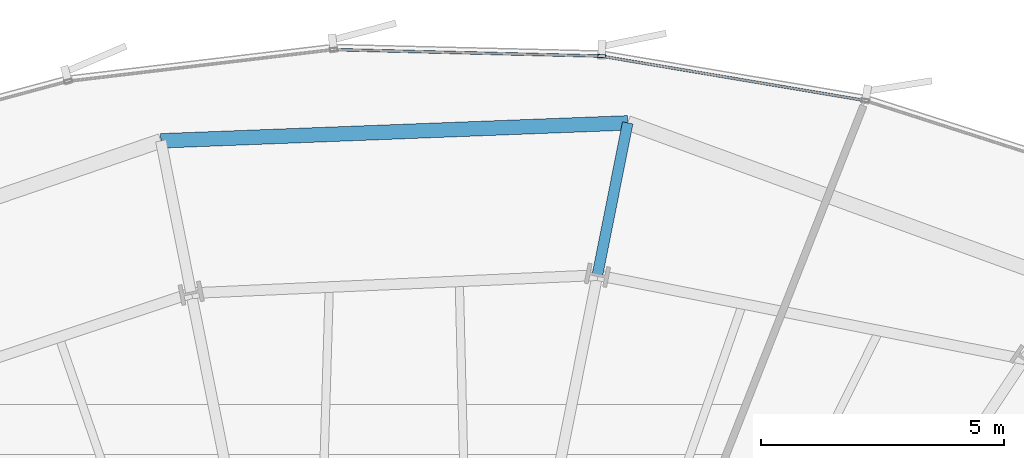
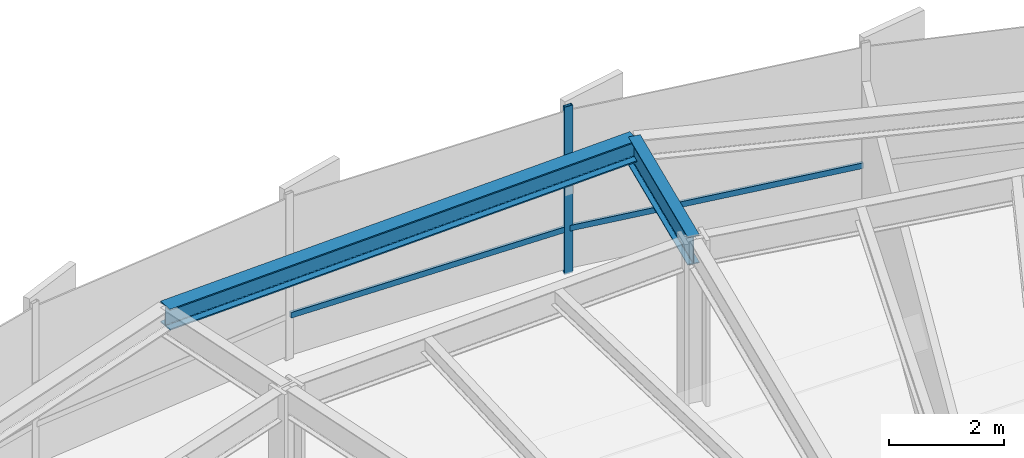
# One storey, part 26 of 39: 3 members, 2 beams, 1 element without a shape of its own.
"""IFC4 building model written with IfcOpenShell, lengths in metres."""

from ifc_helpers import new_model, si_unit, direction, frame, origin, origin_2d, place, context, subcontext, project, spatial, hollow_rectangle, i_section, extrude, source, transform, mapped, material, layer, layer_set, material_profile, profile_set, type_object, element, aggregate, save


model = new_model("IFC4")

# Units and contexts
model_context = context("Model", 3, precision=1e-05, world=origin(), true_north=direction((0.0, 1.0)))
body_context = subcontext(model_context, "Body", "Model", "MODEL_VIEW")
ifc_project = project(units=[si_unit("LENGTHUNIT", "METRE"), si_unit("AREAUNIT", "SQUARE_METRE"), si_unit("VOLUMEUNIT", "CUBIC_METRE"), si_unit("PLANEANGLEUNIT", "RADIAN"), si_unit("MASSUNIT", "GRAM", prefix="KILO"), si_unit("THERMODYNAMICTEMPERATUREUNIT", "KELVIN")], contexts=[model_context])

# Site, building, storey
site_placement = place(None, origin())
site = spatial("IfcSite", under=ifc_project, at=site_placement, CompositionType="ELEMENT")
building_placement = place(site_placement, origin())
building = spatial("IfcBuilding", under=site, at=building_placement, Name="Kethvar Cultural Tower", CompositionType="ELEMENT")
storey_placement = place(building_placement, frame((0.0, 0.0, 41.0)))
storey = spatial("IfcBuildingStorey", under=building, at=storey_placement, Name="L09", CompositionType="ELEMENT", Elevation=41.0)

# Beams
ifc_material_1 = material(Name="Steel S355J2", Category="steel")
ifc_material_profile_1 = material_profile(ifc_material_1, i_section(OverallWidth=0.219970703125, OverallDepth=0.60009765625, WebThickness=0.011962890625, FlangeThickness=0.01904296875, FilletRadius=0.02392578125, at=origin_2d()), Name="Steel S355J2 — IPE600")
ifc_profile_set_1 = profile_set([ifc_material_profile_1], Name="Steel S355J2 — IPE600")
beam_type_1 = type_object("IfcBeamType", Name="BM-IPE600", PredefinedType="BEAM", material=ifc_profile_set_1)
shared_shape_1 = source(origin(), body_context, "Body", "SweptSolid", [
    extrude(i_section(OverallWidth=0.219970703125, OverallDepth=0.60009765625, WebThickness=0.011962890625, FlangeThickness=0.01904296875, FilletRadius=0.02392578125, at=origin_2d()), origin(), (0.0, 0.0, 1.0), 3.199951171875),
])
beam_1_placement = place(storey_placement, frame((51.022216796875, 49.02587890625, 3.248046875), z_axis=(0.195088965533, 0.980785550224, 0.0), x_axis=(-0.980785550224, 0.195088965533, 0.0)))
element("IfcBeam", 1, at=beam_1_placement, inside=storey, type_object=beam_type_1, Name="L09 Perimeter Cantilever Beam RC-04", PredefinedType="BEAM", context=body_context, shape_type="MappedRepresentation", body=[
    mapped(shared_shape_1, transform((0.0, 0.0, 0.0), scale=1.0)),
])
ifc_material_profile_2 = material_profile(ifc_material_1, i_section(OverallWidth=0.300048828125, OverallDepth=0.449951171875, WebThickness=0.013916015625, FlangeThickness=0.02587890625, FilletRadius=0.027099609375, at=origin_2d()), Name="Steel S355J2 — HEB450")
ifc_profile_set_2 = profile_set([ifc_material_profile_2], Name="Steel S355J2 — HEB450")
beam_type_2 = type_object("IfcBeamType", Name="BM-SP450", PredefinedType="SPANDREL", material=ifc_profile_set_2)
shared_shape_2 = source(origin(), body_context, "Body", "SweptSolid", [
    extrude(i_section(OverallWidth=0.300048828125, OverallDepth=0.449951171875, WebThickness=0.013916015625, FlangeThickness=0.02587890625, FilletRadius=0.027099609375, at=origin_2d()), origin(), (0.0, 0.0, 1.0), 9.62646484375),
])
beam_2_placement = place(storey_placement, frame((51.646484375, 52.164306640625, 3.322998046875), z_axis=(-0.999260612605, -0.038447732004, 0.0), x_axis=(0.038447732004, -0.999260612605, 0.0)))
element("IfcBeam", 2, at=beam_2_placement, inside=storey, type_object=beam_type_2, Name="L09 Perimeter Spandrel Beam SP-04", PredefinedType="SPANDREL", context=body_context, shape_type="MappedRepresentation", body=[
    mapped(shared_shape_2, transform((0.0, 0.0, 0.0), scale=1.0)),
])

# Curtain wall, members
ifc_material_2 = material(Name="Aluminium 6063-T6", Category="aluminium")
ifc_layer = layer(ifc_material_2, 0.179931640625, Name="Aluminium 6063-T6", Category="aluminium")
ifc_layer_set = layer_set([ifc_layer], Name="Aluminium 6063-T6 (180 mm)")
curtain_wall_type = type_object("IfcCurtainWallType", Name="CW-SYS-02-Z1", PredefinedType="NOTDEFINED", material=ifc_layer_set)
curtain_wall_placement = place(storey_placement, origin())
curtain_wall = element("IfcCurtainWall", 3, at=curtain_wall_placement, inside=storey, type_object=curtain_wall_type, Name="L09 Curtain Wall Run 02", PredefinedType="NOTDEFINED")
ifc_material_profile_3 = material_profile(ifc_material_2, hollow_rectangle(XDim=0.06494140625, YDim=0.159912109375, WallThickness=0.0048828125, at=origin_2d()), Name="Aluminium 6063-T6 — RHS160x65x5")
ifc_profile_set_3 = profile_set([ifc_material_profile_3], Name="Aluminium 6063-T6 — RHS160x65x5")
member_type_1 = type_object("IfcMemberType", Name="CW-SYS-02-Z1-MUL", PredefinedType="MULLION", material=ifc_profile_set_3)
shared_shape_3 = source(origin(), body_context, "Body", "SweptSolid", [
    extrude(hollow_rectangle(XDim=0.06494140625, YDim=0.159912109375, WallThickness=0.0048828125, at=origin_2d()), origin(), (0.0, 0.0, 1.0), 3.550048828125),
])
member_1_placement = place(storey_placement, frame((51.109375, 53.540283203125, 0.0), z_axis=(0.0, 0.0, 1.0), x_axis=(-0.024292593255, -0.999704891412, 0.0)))
member_1 = element("IfcMember", 4, at=member_1_placement, type_object=member_type_1, Name="CW-L09-R02 Mullion 3", PredefinedType="MULLION", context=body_context, shape_type="MappedRepresentation", body=[
    mapped(shared_shape_3, transform((0.0, 0.0, 0.0), scale=1.0)),
])
ifc_material_profile_4 = material_profile(ifc_material_2, hollow_rectangle(XDim=0.054931640625, YDim=0.1201171875, WallThickness=0.00390625, at=origin_2d()), Name="Aluminium 6063-T6 — RHS120x55x4")
ifc_profile_set_4 = profile_set([ifc_material_profile_4], Name="Aluminium 6063-T6 — RHS120x55x4")
member_type_2 = type_object("IfcMemberType", Name="CW-SYS-02-Z1-TRN", PredefinedType="USERDEFINED", material=ifc_profile_set_4)
shared_shape_4 = source(origin(), body_context, "Body", "SweptSolid", [
    extrude(hollow_rectangle(XDim=0.054931640625, YDim=0.1201171875, WallThickness=0.00390625, at=origin_2d()), origin(), (0.0, 0.0, 1.0), 5.43603515625),
])
member_2_placement = place(storey_placement, frame((56.4990234375, 52.63134765625, 0.949951171875), z_axis=(-0.986112098512, 0.166081092148, 0.0), x_axis=(-0.166081092148, -0.986112098512, 0.0)))
member_2 = element("IfcMember", 5, at=member_2_placement, type_object=member_type_2, Name="CW-L09-R02 Transom 2", ObjectType="TRANSOM", PredefinedType="USERDEFINED", context=body_context, shape_type="MappedRepresentation", body=[
    mapped(shared_shape_4, transform((0.0, 0.0, 0.0), scale=1.0)),
])
shared_shape_5 = source(origin(), body_context, "Body", "SweptSolid", [
    extrude(hollow_rectangle(XDim=0.054931640625, YDim=0.1201171875, WallThickness=0.00390625, at=origin_2d()), origin(), (0.0, 0.0, 1.0), 5.4462890625),
])
member_3_placement = place(storey_placement, frame((51.0625, 53.54150390625, 0.949951171875), z_axis=(-0.999705880225, 0.024251866786, 0.0), x_axis=(-0.024251866786, -0.999705880225, 0.0)))
member_3 = element("IfcMember", 6, at=member_3_placement, type_object=member_type_2, Name="CW-L09-R02 Transom 3", ObjectType="TRANSOM", PredefinedType="USERDEFINED", context=body_context, shape_type="MappedRepresentation", body=[
    mapped(shared_shape_5, transform((0.0, 0.0, 0.0), scale=1.0)),
])
aggregate(curtain_wall, [member_1, member_2, member_3])

save(model, "model.ifc")
